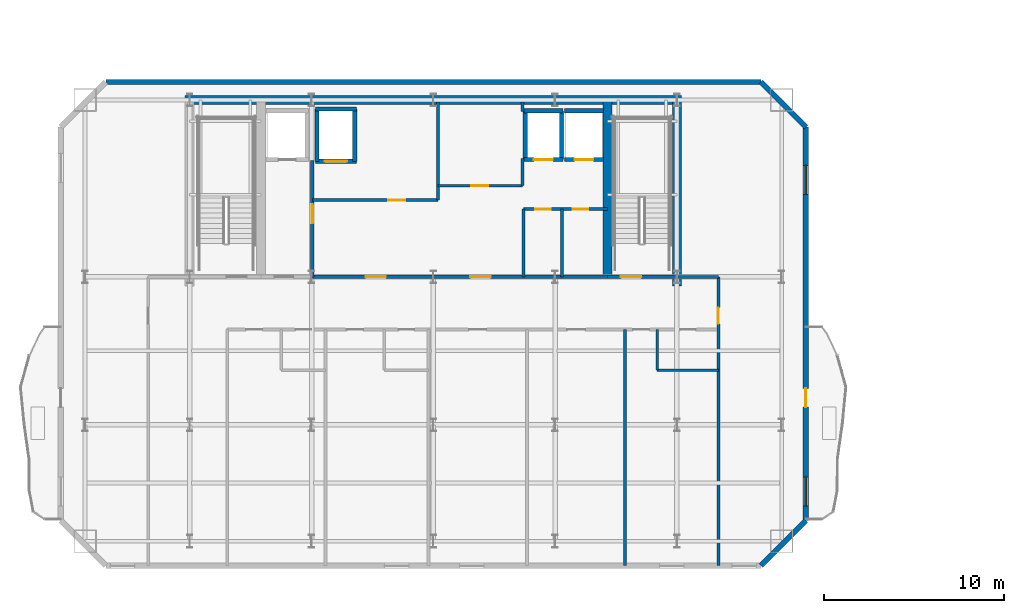
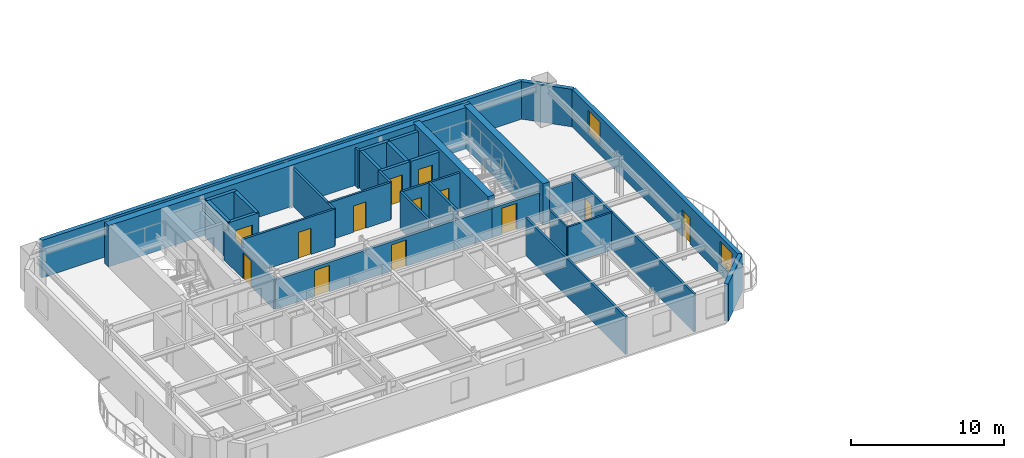
# One storey, part 6 of 13: 33 walls, 13 doors, 2 windows, 15 openings.
"""IFC4 building model written with IfcOpenShell, lengths in metres."""

from ifc_helpers import new_model, si_unit, direction, frame, frame_2d, origin, place, context, subcontext, project, spatial, rectangle, extrude, material, layer, layer_set, type_object, element, fill, save


model = new_model("IFC4")

# Units and contexts
model_context = context("Model", 3, precision=1e-05, world=origin(), true_north=direction((0.0, 1.0)))
body_context = subcontext(model_context, "Body", "Model", "MODEL_VIEW")
ifc_project = project(units=[si_unit("LENGTHUNIT", "METRE"), si_unit("AREAUNIT", "SQUARE_METRE"), si_unit("VOLUMEUNIT", "CUBIC_METRE"), si_unit("PLANEANGLEUNIT", "RADIAN"), si_unit("MASSUNIT", "GRAM", prefix="KILO")], contexts=[model_context])

# Site, building, storey
site_placement = place(None, origin())
site = spatial("IfcSite", under=ifc_project, at=site_placement, CompositionType="ELEMENT")
building_placement = place(site_placement, origin())
building = spatial("IfcBuilding", under=site, at=building_placement, Name="Haevon Station Towers", CompositionType="ELEMENT")
storey_placement = place(building_placement, frame((0.0, 0.0, 189.0)))
storey = spatial("IfcBuildingStorey", under=building, at=storey_placement, Name="L52", CompositionType="ELEMENT", Elevation=189.0)

# Wall, opening, door
ifc_material_1 = material(Name="Gypsum board on steel stud", Category="steel")
ifc_layer_1 = layer(ifc_material_1, 0.199951171875)
ifc_layer_set_1 = layer_set([ifc_layer_1], Name="Gypsum board on steel stud")
wall_type_1 = type_object("IfcWallType", Name="WL-COR200", PredefinedType="PARTITIONING", material=ifc_layer_set_1)
wall_1_placement = place(storey_placement, frame((47.14990234375, 38.199951171875, 0.0), z_axis=(0.0, 0.0, 1.0), x_axis=(1.0, 0.0, 0.0)))
wall_1 = element("IfcWall", 1, at=wall_1_placement, inside=storey, type_object=wall_type_1, Name="WL-ST-ST2-L52", PredefinedType="PARTITIONING", context=body_context, shape_type="SweptSolid", body=[
    extrude(rectangle(XDim=3.85009765625, YDim=0.199951171875, at=frame_2d((1.925048828125, 0.0))), origin(), (0.0, 0.0, 1.0), 2.35009765625),
])
opening_1_placement = place(wall_1_placement, frame((0.75, 0.0, 0.0)))
opening_1 = element("IfcOpeningElement", 2, at=opening_1_placement, cuts=wall_1, Name="Opening DR-ST-ST2-L52", PredefinedType="OPENING", context=body_context, shape_type="SweptSolid", body=[
    extrude(rectangle(XDim=1.1201171875, YDim=2.10009765625, at=frame_2d((0.56005859375, 1.050048828125))), frame((0.0, 0.10986328125, 0.0), z_axis=(0.0, -1.0, 0.0), x_axis=(1.0, 0.0, 0.0)), (0.0, 0.0, 1.0), 0.219970703125),
])
ifc_material_2 = material(Name="Engineered oak timber", Category="wood")
door_type_1 = type_object("IfcDoorType", Name="DR-ST-1120", OperationType="NOTDEFINED", PredefinedType="DOOR", material=ifc_material_2)
door_1_placement = place(opening_1_placement, origin())
door_1 = element("IfcDoor", 3, at=door_1_placement, inside=storey, type_object=door_type_1, Name="L52 Escape Stair ST2 Fire Door", OperationType="SINGLE_SWING_LEFT", OverallHeight=2.10009765625, OverallWidth=1.1201171875, PredefinedType="DOOR", context=body_context, shape_type="SweptSolid", body=[
    extrude(rectangle(XDim=1.1201171875, YDim=2.10009765625, at=frame_2d((0.56005859375, 1.050048828125))), frame((0.0, 0.02490234375, 0.0), z_axis=(0.0, -1.0, 0.0), x_axis=(1.0, 0.0, 0.0)), (0.0, 0.0, 1.0), 0.050048828125),
])
fill(opening_1, door_1)

wall_2_placement = place(storey_placement, frame((30.800048828125, 38.199951171875, 0.0), z_axis=(0.0, 0.0, 1.0), x_axis=(0.0, 1.0, 0.0)))
wall_2 = element("IfcWall", 4, at=wall_2_placement, inside=storey, type_object=wall_type_1, Name="WL-T1FFL-L52-E", PredefinedType="PARTITIONING", context=body_context, shape_type="SweptSolid", body=[
    extrude(rectangle(XDim=6.449951171875, YDim=0.199951171875, at=frame_2d((3.22509765625, 0.0))), origin(), (0.0, 0.0, 1.0), 2.35009765625),
])
opening_2_placement = place(wall_2_placement, frame((2.9599609375, 0.0, 0.0)))
opening_2 = element("IfcOpeningElement", 5, at=opening_2_placement, cuts=wall_2, Name="Opening DR-T1FFL-L52-E", PredefinedType="OPENING", context=body_context, shape_type="SweptSolid", body=[
    extrude(rectangle(XDim=1.050048828125, YDim=2.10009765625, at=frame_2d((0.52490234375, 1.050048828125))), frame((0.0, 0.10986328125, 0.0), z_axis=(0.0, -1.0, 0.0), x_axis=(1.0, 0.0, 0.0)), (0.0, 0.0, 1.0), 0.219970703125),
])
door_type_2 = type_object("IfcDoorType", Name="DR-FD60-1050", OperationType="NOTDEFINED", PredefinedType="DOOR", material=ifc_material_2)
door_2_placement = place(opening_2_placement, origin())
door_2 = element("IfcDoor", 6, at=door_2_placement, inside=storey, type_object=door_type_2, Name="L52 Tower 1 Firefighting Lift Lobby Door E", OperationType="SINGLE_SWING_RIGHT", OverallHeight=2.10009765625, OverallWidth=1.050048828125, PredefinedType="DOOR", context=body_context, shape_type="SweptSolid", body=[
    extrude(rectangle(XDim=1.050048828125, YDim=2.10009765625, at=frame_2d((0.52490234375, 1.050048828125))), frame((0.0, 0.02490234375, 0.0), z_axis=(0.0, -1.0, 0.0), x_axis=(1.0, 0.0, 0.0)), (0.0, 0.0, 1.0), 0.050048828125),
])
fill(opening_2, door_2)

# Wall, openings, doors
wall_3_placement = place(storey_placement, frame((30.800048828125, 38.199951171875, 0.0), z_axis=(0.0, 0.0, 1.0), x_axis=(1.0, 0.0, 0.0)))
wall_3 = element("IfcWall", 7, at=wall_3_placement, inside=storey, type_object=wall_type_1, Name="WL-T1CLB-L52", PredefinedType="PARTITIONING", context=body_context, shape_type="SweptSolid", body=[
    extrude(rectangle(XDim=16.349853515625, YDim=0.199951171875, at=frame_2d((8.1748046875, 0.0))), origin(), (0.0, 0.0, 1.0), 2.35009765625),
])
opening_3_placement = place(wall_3_placement, frame((2.949951171875, 0.0, 0.0)))
opening_3 = element("IfcOpeningElement", 8, at=opening_3_placement, cuts=wall_3, Name="Opening DR-T1CLB-L52-1", PredefinedType="OPENING", context=body_context, shape_type="SweptSolid", body=[
    extrude(rectangle(XDim=1.1201171875, YDim=2.10009765625, at=frame_2d((0.56005859375, 1.050048828125))), frame((0.0, 0.10986328125, 0.0), z_axis=(0.0, -1.0, 0.0), x_axis=(1.0, 0.0, 0.0)), (0.0, 0.0, 1.0), 0.219970703125),
])
opening_4_placement = place(wall_3_placement, frame((8.75, 0.0, 0.0)))
opening_4 = element("IfcOpeningElement", 9, at=opening_4_placement, cuts=wall_3, Name="Opening DR-T1CLB-L52-2", PredefinedType="OPENING", context=body_context, shape_type="SweptSolid", body=[
    extrude(rectangle(XDim=1.1201171875, YDim=2.10009765625, at=frame_2d((0.56005859375, 1.050048828125))), frame((0.0, 0.10986328125, 0.0), z_axis=(0.0, -1.0, 0.0), x_axis=(1.0, 0.0, 0.0)), (0.0, 0.0, 1.0), 0.219970703125),
])
door_3_placement = place(opening_3_placement, origin())
door_3 = element("IfcDoor", 10, at=door_3_placement, inside=storey, type_object=door_type_1, Name="L52 Tower 1 Core Lift Lobby Door 1", OperationType="SINGLE_SWING_RIGHT", OverallHeight=2.10009765625, OverallWidth=1.1201171875, PredefinedType="DOOR", context=body_context, shape_type="SweptSolid", body=[
    extrude(rectangle(XDim=1.1201171875, YDim=2.10009765625, at=frame_2d((0.56005859375, 1.050048828125))), frame((0.0, 0.02490234375, 0.0), z_axis=(0.0, -1.0, 0.0), x_axis=(1.0, 0.0, 0.0)), (0.0, 0.0, 1.0), 0.050048828125),
])
fill(opening_3, door_3)
door_4_placement = place(opening_4_placement, origin())
door_4 = element("IfcDoor", 11, at=door_4_placement, inside=storey, type_object=door_type_1, Name="L52 Tower 1 Core Lift Lobby Door 2", OperationType="SINGLE_SWING_LEFT", OverallHeight=2.10009765625, OverallWidth=1.1201171875, PredefinedType="DOOR", context=body_context, shape_type="SweptSolid", body=[
    extrude(rectangle(XDim=1.1201171875, YDim=2.10009765625, at=frame_2d((0.56005859375, 1.050048828125))), frame((0.0, 0.02490234375, 0.0), z_axis=(0.0, -1.0, 0.0), x_axis=(1.0, 0.0, 0.0)), (0.0, 0.0, 1.0), 0.050048828125),
])
fill(opening_4, door_4)

# Walls
ifc_material_3 = material(Name="Concrete C60/75", Category="concrete")
ifc_layer_2 = layer(ifc_material_3, 0.5)
ifc_layer_set_2 = layer_set([ifc_layer_2], Name="Concrete C60/75")
wall_type_2 = type_object("IfcWallType", Name="WL-CR500", PredefinedType="SHEAR", material=ifc_layer_set_2)
wall_4_placement = place(storey_placement, frame((23.75, 48.0, 0.0), z_axis=(0.0, 0.0, 1.0), x_axis=(1.0, 0.0, 0.0)))
element("IfcWall", 12, at=wall_4_placement, inside=storey, type_object=wall_type_2, Name="WL-T1CR-L52-N", PredefinedType="SHEAR", context=body_context, shape_type="SweptSolid", body=[
    extrude(rectangle(XDim=27.5, YDim=0.5, at=frame_2d((13.75, 0.0))), origin(), (0.0, 0.0, 1.0), 3.300048828125),
])
wall_5_placement = place(storey_placement, frame((51.0, 37.679931640625, 0.0), z_axis=(0.0, 0.0, 1.0), x_axis=(0.0, 1.0, 0.0)))
element("IfcWall", 13, at=wall_5_placement, inside=storey, type_object=wall_type_2, Name="WL-T1CR-L52-E", PredefinedType="SHEAR", context=body_context, shape_type="SweptSolid", body=[
    extrude(rectangle(XDim=10.320068359375, YDim=0.5, at=frame_2d((5.16015625, 0.0))), origin(), (0.0, 0.0, 1.0), 3.300048828125),
])
wall_6_placement = place(storey_placement, frame((47.14990234375, 38.199951171875, 0.0), z_axis=(0.0, 0.0, 1.0), x_axis=(0.0, 1.0, 0.0)))
element("IfcWall", 14, at=wall_6_placement, inside=storey, type_object=wall_type_2, Name="WL-T1CR-L52-M2", PredefinedType="SHEAR", context=body_context, shape_type="SweptSolid", body=[
    extrude(rectangle(XDim=9.800048828125, YDim=0.5, at=frame_2d((4.89990234375, 0.0))), origin(), (0.0, 0.0, 1.0), 3.300048828125),
])
ifc_material_4 = material(Name="Precast concrete C45/55", Category="concrete")
ifc_layer_3 = layer(ifc_material_4, 0.300048828125)
ifc_layer_set_3 = layer_set([ifc_layer_3], Name="Precast concrete C45/55")
wall_type_3 = type_object("IfcWallType", Name="WL-EXT-PIER300", PredefinedType="SOLIDWALL", material=ifc_layer_set_3)
wall_7_placement = place(storey_placement, frame((19.35009765625, 49.0, 0.0), z_axis=(0.0, 0.0, 1.0), x_axis=(1.0, 0.0, 0.0)))
element("IfcWall", 15, at=wall_7_placement, inside=storey, type_object=wall_type_3, Name="WL-T1-L52-N", PredefinedType="SOLIDWALL", context=body_context, shape_type="SweptSolid", body=[
    extrude(rectangle(XDim=36.2998046875, YDim=0.300048828125, at=frame_2d((18.14990234375, 0.0))), origin(), (0.0, 0.0, 1.0), 3.0),
])
wall_8_placement = place(storey_placement, frame((55.64990234375, 49.0, 0.0), z_axis=(0.0, 0.0, 1.0), x_axis=(0.707106781187, -0.707106781187, 0.0)))
element("IfcWall", 16, at=wall_8_placement, inside=storey, type_object=wall_type_3, Name="WL-T1-L52-NEC", PredefinedType="SOLIDWALL", context=body_context, shape_type="SweptSolid", body=[
    extrude(rectangle(XDim=3.53564453125, YDim=0.300048828125, at=frame_2d((1.767822265625, 0.0))), origin(), (0.0, 0.0, 1.0), 3.0),
])

# Wall, openings, door, windows
wall_9_placement = place(storey_placement, frame((58.14990234375, 46.5, 0.0), z_axis=(0.0, 0.0, 1.0), x_axis=(0.0, -1.0, 0.0)))
wall_9 = element("IfcWall", 17, at=wall_9_placement, inside=storey, type_object=wall_type_3, Name="WL-T1-L52-E", PredefinedType="SOLIDWALL", context=body_context, shape_type="SweptSolid", body=[
    extrude(rectangle(XDim=21.800048828125, YDim=0.300048828125, at=frame_2d((10.89990234375, 0.0))), origin(), (0.0, 0.0, 1.0), 3.0),
])
opening_5_placement = place(wall_9_placement, frame((14.47509765625, 0.0, 0.0)))
opening_5 = element("IfcOpeningElement", 18, at=opening_5_placement, cuts=wall_9, Name="Opening DR-T1-SCAL-L52-E", PredefinedType="OPENING", context=body_context, shape_type="SweptSolid", body=[
    extrude(rectangle(XDim=1.050048828125, YDim=2.10009765625, at=frame_2d((0.52490234375, 1.050048828125))), frame((0.0, 0.159912109375, 0.0), z_axis=(0.0, -1.0, 0.0), x_axis=(1.0, 0.0, 0.0)), (0.0, 0.0, 1.0), 0.320068359375),
])
opening_6_placement = place(wall_9_placement, frame((2.128662109375, 0.0, 0.800048828125)))
opening_6 = element("IfcOpeningElement", 19, at=opening_6_placement, cuts=wall_9, Name="Opening WN-END160", PredefinedType="OPENING", context=body_context, shape_type="SweptSolid", body=[
    extrude(rectangle(XDim=1.60009765625, YDim=1.800048828125, at=frame_2d((0.800048828125, 0.89990234375))), frame((0.0, 0.159912109375, 0.0), z_axis=(0.0, -1.0, 0.0), x_axis=(1.0, 0.0, 0.0)), (0.0, 0.0, 1.0), 0.320068359375),
])
opening_7_placement = place(wall_9_placement, frame((19.39990234375, 0.0, 0.800048828125)))
opening_7 = element("IfcOpeningElement", 20, at=opening_7_placement, cuts=wall_9, Name="Opening WN-END160", PredefinedType="OPENING", context=body_context, shape_type="SweptSolid", body=[
    extrude(rectangle(XDim=1.60009765625, YDim=1.800048828125, at=frame_2d((0.800048828125, 0.89990234375))), frame((0.0, 0.159912109375, 0.0), z_axis=(0.0, -1.0, 0.0), x_axis=(1.0, 0.0, 0.0)), (0.0, 0.0, 1.0), 0.320068359375),
])
ifc_material_5 = material(Name="Thermally broken anodised aluminium and laminated safety glass", Category="aluminium")
door_type_3 = type_object("IfcDoorType", Name="DR-BALC-1050", OperationType="NOTDEFINED", PredefinedType="DOOR", material=ifc_material_5)
door_5_placement = place(opening_5_placement, origin())
door_5 = element("IfcDoor", 21, at=door_5_placement, inside=storey, type_object=door_type_3, Name="Tower 1 L52 East Scalloped Balcony Door", OperationType="SINGLE_SWING_LEFT", OverallHeight=2.10009765625, OverallWidth=1.050048828125, PredefinedType="DOOR", context=body_context, shape_type="SweptSolid", body=[
    extrude(rectangle(XDim=1.050048828125, YDim=2.10009765625, at=frame_2d((0.52490234375, 1.050048828125))), frame((0.0, 0.02490234375, 0.0), z_axis=(0.0, -1.0, 0.0), x_axis=(1.0, 0.0, 0.0)), (0.0, 0.0, 1.0), 0.050048828125),
])
fill(opening_5, door_5)
ifc_material_6 = material(Name="Low-E triple glazing in thermally broken aluminium", Category="aluminium")
window_type = type_object("IfcWindowType", Name="WN-END160", PartitioningType="SINGLE_PANEL", PredefinedType="WINDOW", material=ifc_material_6)
window_1_placement = place(opening_6_placement, origin())
window_1 = element("IfcWindow", 22, at=window_1_placement, inside=storey, type_object=window_type, Name="WN-T1-L52-E01", OverallHeight=1.800048828125, OverallWidth=1.60009765625, PartitioningType="SINGLE_PANEL", PredefinedType="WINDOW", context=body_context, shape_type="SweptSolid", body=[
    extrude(rectangle(XDim=1.60009765625, YDim=1.800048828125, at=frame_2d((0.800048828125, 0.89990234375))), frame((0.0, 0.030029296875, 0.0), z_axis=(0.0, -1.0, 0.0), x_axis=(1.0, 0.0, 0.0)), (0.0, 0.0, 1.0), 0.06005859375),
])
fill(opening_6, window_1)
window_2_placement = place(opening_7_placement, origin())
window_2 = element("IfcWindow", 23, at=window_2_placement, inside=storey, type_object=window_type, Name="WN-T1-L52-E02", OverallHeight=1.800048828125, OverallWidth=1.60009765625, PartitioningType="SINGLE_PANEL", PredefinedType="WINDOW", context=body_context, shape_type="SweptSolid", body=[
    extrude(rectangle(XDim=1.60009765625, YDim=1.800048828125, at=frame_2d((0.800048828125, 0.89990234375))), frame((0.0, 0.030029296875, 0.0), z_axis=(0.0, -1.0, 0.0), x_axis=(1.0, 0.0, 0.0)), (0.0, 0.0, 1.0), 0.06005859375),
])
fill(opening_7, window_2)

# Walls
wall_10_placement = place(storey_placement, frame((58.14990234375, 24.699951171875, 0.0), z_axis=(0.0, 0.0, 1.0), x_axis=(-0.707106781187, -0.707106781187, 0.0)))
element("IfcWall", 24, at=wall_10_placement, inside=storey, type_object=wall_type_3, Name="WL-T1-L52-SEC", PredefinedType="SOLIDWALL", context=body_context, shape_type="SweptSolid", body=[
    extrude(rectangle(XDim=3.53564453125, YDim=0.300048828125, at=frame_2d((1.767822265625, 0.0))), origin(), (0.0, 0.0, 1.0), 3.0),
])
ifc_layer_4 = layer(ifc_material_1, 0.125)
ifc_layer_set_4 = layer_set([ifc_layer_4], Name="Gypsum board on steel stud")
wall_type_4 = type_object("IfcWallType", Name="WL-PRT125", PredefinedType="PARTITIONING", material=ifc_layer_set_4)
wall_11_placement = place(storey_placement, frame((49.908203125, 33.030029296875, 0.0), z_axis=(0.0, 0.0, 1.0), x_axis=(0.0, 1.0, 0.0)))
element("IfcWall", 25, at=wall_11_placement, inside=storey, type_object=wall_type_4, Name="WL-T1PT-L52-15", PredefinedType="PARTITIONING", context=body_context, shape_type="SweptSolid", body=[
    extrude(rectangle(XDim=2.25, YDim=0.125, at=frame_2d((1.125, 0.0))), origin(), (0.0, 0.0, 1.0), 3.0),
])
ifc_layer_5 = layer(ifc_material_1, 0.139892578125)
ifc_layer_set_5 = layer_set([ifc_layer_5], Name="Gypsum board on steel stud")
wall_type_5 = type_object("IfcWallType", Name="WL-PRT140", PredefinedType="PARTITIONING", material=ifc_layer_set_5)
wall_12_placement = place(storey_placement, frame((49.908203125, 33.030029296875, 0.0), z_axis=(0.0, 0.0, 1.0), x_axis=(1.0, 0.0, 0.0)))
element("IfcWall", 26, at=wall_12_placement, inside=storey, type_object=wall_type_5, Name="WL-T1PT-L52-14", PredefinedType="PARTITIONING", context=body_context, shape_type="SweptSolid", body=[
    extrude(rectangle(XDim=3.391845703125, YDim=0.139892578125, at=frame_2d((1.69580078125, 0.0))), origin(), (0.0, 0.0, 1.0), 3.0),
])

# Wall, opening, door
ifc_layer_6 = layer(ifc_material_1, 0.159912109375)
ifc_layer_set_6 = layer_set([ifc_layer_6], Name="Gypsum board on steel stud")
wall_type_6 = type_object("IfcWallType", Name="WL-PRT160", PredefinedType="PARTITIONING", material=ifc_layer_set_6)
wall_13_placement = place(storey_placement, frame((30.800048828125, 42.449951171875, 0.0), z_axis=(0.0, 0.0, 1.0), x_axis=(1.0, 0.0, 0.0)))
wall_13 = element("IfcWall", 27, at=wall_13_placement, inside=storey, type_object=wall_type_6, Name="WL-T1CW-L52-01", PredefinedType="PARTITIONING", context=body_context, shape_type="SweptSolid", body=[
    extrude(rectangle(XDim=6.949951171875, YDim=0.159912109375, at=frame_2d((3.47509765625, 0.0))), origin(), (0.0, 0.0, 1.0), 3.0),
])
opening_8_placement = place(wall_13_placement, frame((4.199951171875, 0.0, 0.0)))
opening_8 = element("IfcOpeningElement", 28, at=opening_8_placement, cuts=wall_13, Name="Opening DR-WL-T1CW-L52-01-1", PredefinedType="OPENING", context=body_context, shape_type="SweptSolid", body=[
    extrude(rectangle(XDim=0.949951171875, YDim=2.10009765625, at=frame_2d((0.47509765625, 1.050048828125))), frame((0.0, 0.08984375, 0.0), z_axis=(0.0, -1.0, 0.0), x_axis=(1.0, 0.0, 0.0)), (0.0, 0.0, 1.0), 0.179931640625),
])
door_type_4 = type_object("IfcDoorType", Name="DR-FD60-950", OperationType="NOTDEFINED", PredefinedType="DOOR", material=ifc_material_2)
door_6_placement = place(opening_8_placement, origin())
door_6 = element("IfcDoor", 29, at=door_6_placement, inside=storey, type_object=door_type_4, Name="L52 Tower 1 Core Room Door 1-1", OperationType="SINGLE_SWING_LEFT", OverallHeight=2.10009765625, OverallWidth=0.949951171875, PredefinedType="DOOR", context=body_context, shape_type="SweptSolid", body=[
    extrude(rectangle(XDim=0.949951171875, YDim=2.10009765625, at=frame_2d((0.47509765625, 1.050048828125))), frame((0.0, 0.02490234375, 0.0), z_axis=(0.0, -1.0, 0.0), x_axis=(1.0, 0.0, 0.0)), (0.0, 0.0, 1.0), 0.050048828125),
])
fill(opening_8, door_6)

# Wall
wall_14_placement = place(storey_placement, frame((37.75, 42.449951171875, 0.0), z_axis=(0.0, 0.0, 1.0), x_axis=(0.0, 1.0, 0.0)))
element("IfcWall", 30, at=wall_14_placement, inside=storey, type_object=wall_type_6, Name="WL-T1CW-L52-02", PredefinedType="PARTITIONING", context=body_context, shape_type="SweptSolid", body=[
    extrude(rectangle(XDim=5.449951171875, YDim=0.159912109375, at=frame_2d((2.72509765625, 0.0))), origin(), (0.0, 0.0, 1.0), 3.0),
])

# Wall, opening, door
wall_15_placement = place(storey_placement, frame((37.75, 43.25, 0.0), z_axis=(0.0, 0.0, 1.0), x_axis=(1.0, 0.0, 0.0)))
wall_15 = element("IfcWall", 31, at=wall_15_placement, inside=storey, type_object=wall_type_6, Name="WL-T1CW-L52-03", PredefinedType="PARTITIONING", context=body_context, shape_type="SweptSolid", body=[
    extrude(rectangle(XDim=4.699951171875, YDim=0.159912109375, at=frame_2d((2.35009765625, 0.0))), origin(), (0.0, 0.0, 1.0), 3.0),
])
opening_9_placement = place(wall_15_placement, frame((1.85009765625, 0.0, 0.0)))
opening_9 = element("IfcOpeningElement", 32, at=opening_9_placement, cuts=wall_15, Name="Opening DR-WL-T1CW-L52-03-1", PredefinedType="OPENING", context=body_context, shape_type="SweptSolid", body=[
    extrude(rectangle(XDim=0.949951171875, YDim=2.10009765625, at=frame_2d((0.47509765625, 1.050048828125))), frame((0.0, 0.08984375, 0.0), z_axis=(0.0, -1.0, 0.0), x_axis=(1.0, 0.0, 0.0)), (0.0, 0.0, 1.0), 0.179931640625),
])
door_7_placement = place(opening_9_placement, origin())
door_7 = element("IfcDoor", 33, at=door_7_placement, inside=storey, type_object=door_type_4, Name="L52 Tower 1 Core Room Door 3-1", OperationType="SINGLE_SWING_RIGHT", OverallHeight=2.10009765625, OverallWidth=0.949951171875, PredefinedType="DOOR", context=body_context, shape_type="SweptSolid", body=[
    extrude(rectangle(XDim=0.949951171875, YDim=2.10009765625, at=frame_2d((0.47509765625, 1.050048828125))), frame((0.0, 0.02490234375, 0.0), z_axis=(0.0, -1.0, 0.0), x_axis=(1.0, 0.0, 0.0)), (0.0, 0.0, 1.0), 0.050048828125),
])
fill(opening_9, door_7)

# Walls
wall_16_placement = place(storey_placement, frame((42.449951171875, 43.25, 0.0), z_axis=(0.0, 0.0, 1.0), x_axis=(0.0, 1.0, 0.0)))
element("IfcWall", 34, at=wall_16_placement, inside=storey, type_object=wall_type_6, Name="WL-T1CW-L52-04", PredefinedType="PARTITIONING", context=body_context, shape_type="SweptSolid", body=[
    extrude(rectangle(XDim=1.5, YDim=0.159912109375, at=frame_2d((0.75, 0.0))), origin(), (0.0, 0.0, 1.0), 3.0),
])
wall_17_placement = place(storey_placement, frame((42.449951171875, 47.35009765625, 0.0), z_axis=(0.0, 0.0, 1.0), x_axis=(0.0, 1.0, 0.0)))
element("IfcWall", 35, at=wall_17_placement, inside=storey, type_object=wall_type_6, Name="WL-T1CW-L52-05", PredefinedType="PARTITIONING", context=body_context, shape_type="SweptSolid", body=[
    extrude(rectangle(XDim=0.5498046875, YDim=0.159912109375, at=frame_2d((0.27490234375, 0.0))), origin(), (0.0, 0.0, 1.0), 3.0),
])
for number, where, z_axis, x_axis, name in (
    (36, (42.5, 38.199951171875, 0.0), (0.0, 0.0, 1.0), (0.0, 1.0, 0.0), "WL-T1CW-L52-06"),
    (37, (44.6298828125, 38.199951171875, 0.0), (0.0, 0.0, 1.0), (0.0, 1.0, 0.0), "WL-T1CW-L52-07"),
):
    element("IfcWall", number, at=place(storey_placement, frame(where, z_axis=z_axis, x_axis=x_axis)), inside=storey, type_object=wall_type_6, Name=name, PredefinedType="PARTITIONING", context=body_context, shape_type="SweptSolid", body=[
        extrude(rectangle(XDim=3.75, YDim=0.159912109375, at=frame_2d((1.875, 0.0))), origin(), (0.0, 0.0, 1.0), 3.0),
    ])

# Wall, openings, doors
wall_18_placement = place(storey_placement, frame((42.5, 41.949951171875, 0.0), z_axis=(0.0, 0.0, 1.0), x_axis=(1.0, 0.0, 0.0)))
wall_18 = element("IfcWall", 38, at=wall_18_placement, inside=storey, type_object=wall_type_6, Name="WL-T1CW-L52-08", PredefinedType="PARTITIONING", context=body_context, shape_type="SweptSolid", body=[
    extrude(rectangle(XDim=4.64990234375, YDim=0.159912109375, at=frame_2d((2.324951171875, 0.0))), origin(), (0.0, 0.0, 1.0), 3.0),
])
opening_10_placement = place(wall_18_placement, frame((0.659912109375, 0.0, 0.0)))
opening_10 = element("IfcOpeningElement", 39, at=opening_10_placement, cuts=wall_18, Name="Opening DR-WL-T1CW-L52-08-1", PredefinedType="OPENING", context=body_context, shape_type="SweptSolid", body=[
    extrude(rectangle(XDim=0.85009765625, YDim=2.050048828125, at=frame_2d((0.425048828125, 1.02490234375))), frame((0.0, 0.08984375, 0.0), z_axis=(0.0, -1.0, 0.0), x_axis=(1.0, 0.0, 0.0)), (0.0, 0.0, 1.0), 0.179931640625),
])
opening_11_placement = place(wall_18_placement, frame((2.72998046875, 0.0, 0.0)))
opening_11 = element("IfcOpeningElement", 40, at=opening_11_placement, cuts=wall_18, Name="Opening DR-WL-T1CW-L52-08-2", PredefinedType="OPENING", context=body_context, shape_type="SweptSolid", body=[
    extrude(rectangle(XDim=0.85009765625, YDim=2.050048828125, at=frame_2d((0.425048828125, 1.02490234375))), frame((0.0, 0.08984375, 0.0), z_axis=(0.0, -1.0, 0.0), x_axis=(1.0, 0.0, 0.0)), (0.0, 0.0, 1.0), 0.179931640625),
])
door_type_5 = type_object("IfcDoorType", Name="DR-FD30-850", OperationType="NOTDEFINED", PredefinedType="DOOR", material=ifc_material_2)
door_8_placement = place(opening_10_placement, origin())
door_8 = element("IfcDoor", 41, at=door_8_placement, inside=storey, type_object=door_type_5, Name="L52 Tower 1 Core Room Door 8-1", OperationType="SINGLE_SWING_LEFT", OverallHeight=2.050048828125, OverallWidth=0.85009765625, PredefinedType="DOOR", context=body_context, shape_type="SweptSolid", body=[
    extrude(rectangle(XDim=0.85009765625, YDim=2.050048828125, at=frame_2d((0.425048828125, 1.02490234375))), frame((0.0, 0.02490234375, 0.0), z_axis=(0.0, -1.0, 0.0), x_axis=(1.0, 0.0, 0.0)), (0.0, 0.0, 1.0), 0.050048828125),
])
fill(opening_10, door_8)
door_9_placement = place(opening_11_placement, origin())
door_9 = element("IfcDoor", 42, at=door_9_placement, inside=storey, type_object=door_type_5, Name="L52 Tower 1 Core Room Door 8-2", OperationType="SINGLE_SWING_RIGHT", OverallHeight=2.050048828125, OverallWidth=0.85009765625, PredefinedType="DOOR", context=body_context, shape_type="SweptSolid", body=[
    extrude(rectangle(XDim=0.85009765625, YDim=2.050048828125, at=frame_2d((0.425048828125, 1.02490234375))), frame((0.0, 0.02490234375, 0.0), z_axis=(0.0, -1.0, 0.0), x_axis=(1.0, 0.0, 0.0)), (0.0, 0.0, 1.0), 0.050048828125),
])
fill(opening_11, door_9)

# Wall
wall_19_placement = place(storey_placement, frame((51.0, 38.199951171875, 0.0), z_axis=(0.0, 0.0, 1.0), x_axis=(1.0, 0.0, 0.0)))
element("IfcWall", 43, at=wall_19_placement, inside=storey, type_object=wall_type_6, Name="WL-T1PT-L52-03", PredefinedType="PARTITIONING", context=body_context, shape_type="SweptSolid", body=[
    extrude(rectangle(XDim=2.300048828125, YDim=0.159912109375, at=frame_2d((1.14990234375, 0.0))), origin(), (0.0, 0.0, 1.0), 2.35009765625),
])

# Wall, opening, door
wall_20_placement = place(storey_placement, frame((53.300048828125, 22.199951171875, 0.0), z_axis=(0.0, 0.0, 1.0), x_axis=(0.0, 1.0, 0.0)))
wall_20 = element("IfcWall", 44, at=wall_20_placement, inside=storey, type_object=wall_type_6, Name="WL-T1PT-L52-05", PredefinedType="PARTITIONING", context=body_context, shape_type="SweptSolid", body=[
    extrude(rectangle(XDim=16.0, YDim=0.159912109375, at=frame_2d((8.0, 0.0))), origin(), (0.0, 0.0, 1.0), 3.0),
])
opening_12_placement = place(wall_20_placement, frame((13.39990234375, 0.0, 0.0)))
opening_12 = element("IfcOpeningElement", 45, at=opening_12_placement, cuts=wall_20, Name="Opening DR-WL-T1PT-L52-05-01", PredefinedType="OPENING", context=body_context, shape_type="SweptSolid", body=[
    extrude(rectangle(XDim=0.89990234375, YDim=2.050048828125, at=frame_2d((0.449951171875, 1.02490234375))), frame((0.0, 0.08984375, 0.0), z_axis=(0.0, -1.0, 0.0), x_axis=(1.0, 0.0, 0.0)), (0.0, 0.0, 1.0), 0.179931640625),
])
door_type_6 = type_object("IfcDoorType", Name="DR-INT-900", OperationType="NOTDEFINED", PredefinedType="DOOR", material=ifc_material_2)
door_10_placement = place(opening_12_placement, origin())
door_10 = element("IfcDoor", 46, at=door_10_placement, inside=storey, type_object=door_type_6, Name="L52 Tower 1 Room Door 5-1", OperationType="SINGLE_SWING_RIGHT", OverallHeight=2.050048828125, OverallWidth=0.89990234375, PredefinedType="DOOR", context=body_context, shape_type="SweptSolid", body=[
    extrude(rectangle(XDim=0.89990234375, YDim=2.050048828125, at=frame_2d((0.449951171875, 1.02490234375))), frame((0.0, 0.02490234375, 0.0), z_axis=(0.0, -1.0, 0.0), x_axis=(1.0, 0.0, 0.0)), (0.0, 0.0, 1.0), 0.050048828125),
])
fill(opening_12, door_10)

# Wall
wall_21_placement = place(storey_placement, frame((48.128173828125, 22.199951171875, 0.0), z_axis=(0.0, 0.0, 1.0), x_axis=(0.0, 1.0, 0.0)))
element("IfcWall", 47, at=wall_21_placement, inside=storey, type_object=wall_type_6, Name="WL-T1PT-L52-13", PredefinedType="PARTITIONING", context=body_context, shape_type="SweptSolid", body=[
    extrude(rectangle(XDim=13.080078125, YDim=0.159912109375, at=frame_2d((6.5400390625, 0.0))), origin(), (0.0, 0.0, 1.0), 3.0),
])

# Wall, opening, door
ifc_material_7 = material(Name="Concrete C40/50", Category="concrete")
ifc_layer_7 = layer(ifc_material_7, 0.239990234375)
ifc_layer_set_7 = layer_set([ifc_layer_7], Name="Concrete C40/50")
wall_type_7 = type_object("IfcWallType", Name="WL-SHF240", PredefinedType="PARTITIONING", material=ifc_layer_set_7)
wall_22_placement = place(storey_placement, frame((30.969970703125, 44.60009765625, 0.0), z_axis=(0.0, 0.0, 1.0), x_axis=(1.0, 0.0, 0.0)))
wall_22 = element("IfcWall", 48, at=wall_22_placement, inside=storey, type_object=wall_type_7, Name="WL-SHF-SL1-L52", PredefinedType="PARTITIONING", context=body_context, shape_type="SweptSolid", body=[
    extrude(rectangle(XDim=2.260009765625, YDim=0.239990234375, at=frame_2d((1.1298828125, 0.0))), origin(), (0.0, 0.0, 1.0), 3.0),
])
opening_13_placement = place(wall_22_placement, frame((0.5048828125, 0.0, 0.0)))
opening_13 = element("IfcOpeningElement", 49, at=opening_13_placement, cuts=wall_22, Name="Opening LD-SL1-L52", PredefinedType="OPENING", context=body_context, shape_type="SweptSolid", body=[
    extrude(rectangle(XDim=1.25, YDim=2.199951171875, at=frame_2d((0.625, 1.10009765625))), frame((0.0, 0.1298828125, 0.0), z_axis=(0.0, -1.0, 0.0), x_axis=(1.0, 0.0, 0.0)), (0.0, 0.0, 1.0), 0.260009765625),
])
ifc_material_8 = material(Name="Stainless steel and rated core", Category="steel")
door_type_7 = type_object("IfcDoorType", Name="LD-SL1250", OperationType="SLIDING_TO_LEFT", PredefinedType="DOOR", material=ifc_material_8)
door_11_placement = place(opening_13_placement, origin())
door_11 = element("IfcDoor", 50, at=door_11_placement, inside=storey, type_object=door_type_7, Name="L52 Lift SL1 Sliding Landing Door", OperationType="SLIDING_TO_LEFT", OverallHeight=2.199951171875, OverallWidth=1.25, PredefinedType="DOOR", context=body_context, shape_type="SweptSolid", body=[
    extrude(rectangle(XDim=1.25, YDim=2.199951171875, at=frame_2d((0.625, 1.10009765625))), frame((0.0, 0.02490234375, 0.0), z_axis=(0.0, -1.0, 0.0), x_axis=(1.0, 0.0, 0.0)), (0.0, 0.0, 1.0), 0.050048828125),
])
fill(opening_13, door_11)

# Walls
wall_23_placement = place(storey_placement, frame((30.969970703125, 47.5, 0.0), z_axis=(0.0, 0.0, 1.0), x_axis=(1.0, 0.0, 0.0)))
element("IfcWall", 51, at=wall_23_placement, inside=storey, type_object=wall_type_7, Name="WL-SHF-SL1-L52-N", PredefinedType="PARTITIONING", context=body_context, shape_type="SweptSolid", body=[
    extrude(rectangle(XDim=2.260009765625, YDim=0.239990234375, at=frame_2d((1.1298828125, 0.0))), origin(), (0.0, 0.0, 1.0), 3.0),
])
for number, where, z_axis, x_axis, name in (
    (52, (31.050048828125, 44.60009765625, 0.0), (0.0, 0.0, 1.0), (0.0, 1.0, 0.0), "WL-SHF-SL1-L52-W"),
    (53, (33.14990234375, 44.60009765625, 0.0), (0.0, 0.0, 1.0), (0.0, 1.0, 0.0), "WL-SHF-SL1-L52-E"),
):
    element("IfcWall", number, at=place(storey_placement, frame(where, z_axis=z_axis, x_axis=x_axis)), inside=storey, type_object=wall_type_7, Name=name, PredefinedType="PARTITIONING", context=body_context, shape_type="SweptSolid", body=[
        extrude(rectangle(XDim=2.89990234375, YDim=0.239990234375, at=frame_2d((1.449951171875, 0.0))), origin(), (0.0, 0.0, 1.0), 3.0),
    ])

# Wall, opening, door
wall_24_placement = place(storey_placement, frame((42.52001953125, 44.699951171875, 0.0), z_axis=(0.0, 0.0, 1.0), x_axis=(1.0, 0.0, 0.0)))
wall_24 = element("IfcWall", 54, at=wall_24_placement, inside=storey, type_object=wall_type_7, Name="WL-SHF-PL5-L52", PredefinedType="PARTITIONING", context=body_context, shape_type="SweptSolid", body=[
    extrude(rectangle(XDim=2.159912109375, YDim=0.239990234375, at=frame_2d((1.080078125, 0.0))), origin(), (0.0, 0.0, 1.0), 3.0),
])
opening_14_placement = place(wall_24_placement, frame((0.554931640625, 0.0, 0.0)))
opening_14 = element("IfcOpeningElement", 55, at=opening_14_placement, cuts=wall_24, Name="Opening LD-PL5-L52", PredefinedType="OPENING", context=body_context, shape_type="SweptSolid", body=[
    extrude(rectangle(XDim=1.050048828125, YDim=2.14990234375, at=frame_2d((0.52490234375, 1.074951171875))), frame((0.0, 0.1298828125, 0.0), z_axis=(0.0, -1.0, 0.0), x_axis=(1.0, 0.0, 0.0)), (0.0, 0.0, 1.0), 0.260009765625),
])
door_type_8 = type_object("IfcDoorType", Name="LD-PL1050", OperationType="SLIDING_TO_LEFT", PredefinedType="DOOR", material=ifc_material_8)
door_12_placement = place(opening_14_placement, origin())
door_12 = element("IfcDoor", 56, at=door_12_placement, inside=storey, type_object=door_type_8, Name="L52 Lift PL5 Sliding Landing Door", OperationType="SLIDING_TO_LEFT", OverallHeight=2.14990234375, OverallWidth=1.050048828125, PredefinedType="DOOR", context=body_context, shape_type="SweptSolid", body=[
    extrude(rectangle(XDim=1.050048828125, YDim=2.14990234375, at=frame_2d((0.52490234375, 1.074951171875))), frame((0.0, 0.02490234375, 0.0), z_axis=(0.0, -1.0, 0.0), x_axis=(1.0, 0.0, 0.0)), (0.0, 0.0, 1.0), 0.050048828125),
])
fill(opening_14, door_12)

# Walls
wall_25_placement = place(storey_placement, frame((42.52001953125, 47.39990234375, 0.0), z_axis=(0.0, 0.0, 1.0), x_axis=(1.0, 0.0, 0.0)))
element("IfcWall", 57, at=wall_25_placement, inside=storey, type_object=wall_type_7, Name="WL-SHF-PL5-L52-N", PredefinedType="PARTITIONING", context=body_context, shape_type="SweptSolid", body=[
    extrude(rectangle(XDim=2.159912109375, YDim=0.239990234375, at=frame_2d((1.080078125, 0.0))), origin(), (0.0, 0.0, 1.0), 3.0),
])
for number, where, z_axis, x_axis, name in (
    (58, (42.60009765625, 44.699951171875, 0.0), (0.0, 0.0, 1.0), (0.0, 1.0, 0.0), "WL-SHF-PL5-L52-W"),
    (59, (44.60009765625, 44.699951171875, 0.0), (0.0, 0.0, 1.0), (0.0, 1.0, 0.0), "WL-SHF-PL5-L52-E"),
):
    element("IfcWall", number, at=place(storey_placement, frame(where, z_axis=z_axis, x_axis=x_axis)), inside=storey, type_object=wall_type_7, Name=name, PredefinedType="PARTITIONING", context=body_context, shape_type="SweptSolid", body=[
        extrude(rectangle(XDim=2.699951171875, YDim=0.239990234375, at=frame_2d((1.35009765625, 0.0))), origin(), (0.0, 0.0, 1.0), 3.0),
    ])

# Wall, opening, door
wall_26_placement = place(storey_placement, frame((44.77001953125, 44.699951171875, 0.0), z_axis=(0.0, 0.0, 1.0), x_axis=(1.0, 0.0, 0.0)))
wall_26 = element("IfcWall", 60, at=wall_26_placement, inside=storey, type_object=wall_type_7, Name="WL-SHF-PL6-L52", PredefinedType="PARTITIONING", context=body_context, shape_type="SweptSolid", body=[
    extrude(rectangle(XDim=2.159912109375, YDim=0.239990234375, at=frame_2d((1.080078125, 0.0))), origin(), (0.0, 0.0, 1.0), 3.0),
])
opening_15_placement = place(wall_26_placement, frame((0.554931640625, 0.0, 0.0)))
opening_15 = element("IfcOpeningElement", 61, at=opening_15_placement, cuts=wall_26, Name="Opening LD-PL6-L52", PredefinedType="OPENING", context=body_context, shape_type="SweptSolid", body=[
    extrude(rectangle(XDim=1.050048828125, YDim=2.14990234375, at=frame_2d((0.52490234375, 1.074951171875))), frame((0.0, 0.1298828125, 0.0), z_axis=(0.0, -1.0, 0.0), x_axis=(1.0, 0.0, 0.0)), (0.0, 0.0, 1.0), 0.260009765625),
])
door_13_placement = place(opening_15_placement, origin())
door_13 = element("IfcDoor", 62, at=door_13_placement, inside=storey, type_object=door_type_8, Name="L52 Lift PL6 Sliding Landing Door", OperationType="SLIDING_TO_LEFT", OverallHeight=2.14990234375, OverallWidth=1.050048828125, PredefinedType="DOOR", context=body_context, shape_type="SweptSolid", body=[
    extrude(rectangle(XDim=1.050048828125, YDim=2.14990234375, at=frame_2d((0.52490234375, 1.074951171875))), frame((0.0, 0.02490234375, 0.0), z_axis=(0.0, -1.0, 0.0), x_axis=(1.0, 0.0, 0.0)), (0.0, 0.0, 1.0), 0.050048828125),
])
fill(opening_15, door_13)

# Wall
wall_27_placement = place(storey_placement, frame((44.77001953125, 47.39990234375, 0.0), z_axis=(0.0, 0.0, 1.0), x_axis=(1.0, 0.0, 0.0)))
element("IfcWall", 63, at=wall_27_placement, inside=storey, type_object=wall_type_7, Name="WL-SHF-PL6-L52-N", PredefinedType="PARTITIONING", context=body_context, shape_type="SweptSolid", body=[
    extrude(rectangle(XDim=2.159912109375, YDim=0.239990234375, at=frame_2d((1.080078125, 0.0))), origin(), (0.0, 0.0, 1.0), 3.0),
])

save(model, "model.ifc")
